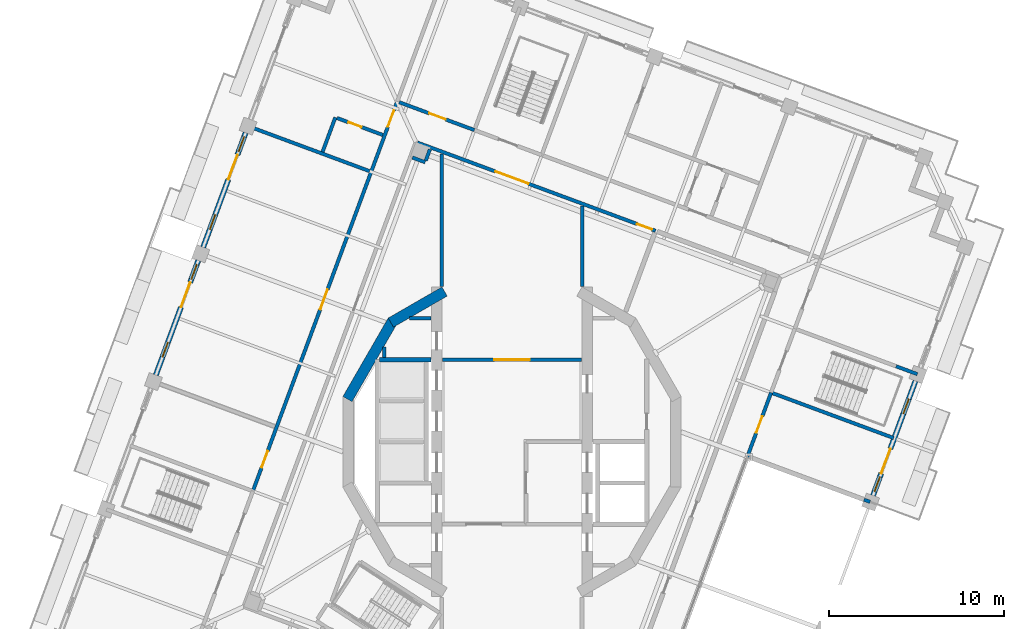
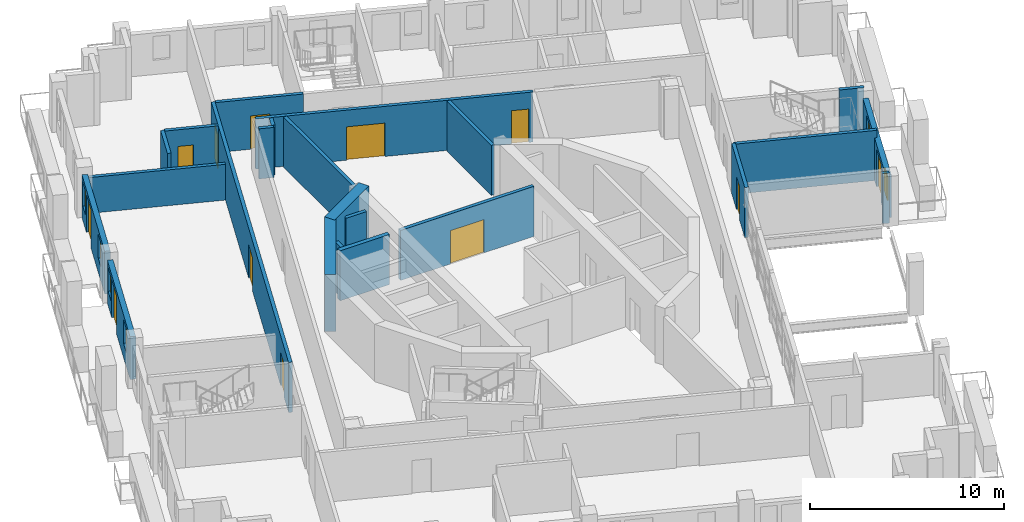
# One storey, part 8 of 19: 23 walls, 12 doors, 6 windows, 18 openings.
"""IFC4 building model written with IfcOpenShell, lengths in metres."""

from ifc_helpers import new_model, si_unit, direction, frame, frame_2d, origin, place, context, subcontext, project, spatial, rectangle, extrude, material, layer, layer_set, type_object, element, fill, save


model = new_model("IFC4")

# Units and contexts
model_context = context("Model", 3, precision=1e-05, world=origin(), true_north=direction((0.0, 1.0)))
body_context = subcontext(model_context, "Body", "Model", "MODEL_VIEW")
ifc_project = project(units=[si_unit("LENGTHUNIT", "METRE"), si_unit("AREAUNIT", "SQUARE_METRE"), si_unit("VOLUMEUNIT", "CUBIC_METRE"), si_unit("PLANEANGLEUNIT", "RADIAN"), si_unit("MASSUNIT", "GRAM", prefix="KILO")], contexts=[model_context])

# Site, building, storey
site_placement = place(None, origin())
site = spatial("IfcSite", under=ifc_project, at=site_placement, CompositionType="ELEMENT")
building_placement = place(site_placement, origin())
building = spatial("IfcBuilding", under=site, at=building_placement, Name="Cantera Rosa Tower", CompositionType="ELEMENT")
storey_placement = place(building_placement, frame((0.0, 0.0, 342.10009765625)))
storey = spatial("IfcBuildingStorey", under=building, at=storey_placement, Name="L77", CompositionType="ELEMENT", Elevation=342.10009765625)

# Wall, openings, doors
ifc_material_1 = material(Name="Gypsum board partition")
ifc_layer_1 = layer(ifc_material_1, 0.199951171875)
ifc_layer_set_1 = layer_set([ifc_layer_1], Name="CORRIDOR WALL 200 H3150")
wall_type_1 = type_object("IfcWallType", Name="CORRIDOR WALL 200 H3150", PredefinedType="PARTITIONING", material=ifc_layer_set_1)
wall_1_placement = place(storey_placement, frame((-6.5537109375, 19.438720703125, 0.0), z_axis=(0.0, 0.0, 1.0), x_axis=(-0.347483565428, -0.937686073138, 0.0)))
wall_1 = element("IfcWall", 1, at=wall_1_placement, inside=storey, type_object=wall_type_1, Name="CORRIDOR WALL L77-031", PredefinedType="PARTITIONING", context=body_context, shape_type="SweptSolid", body=[
    extrude(rectangle(XDim=23.730224609375, YDim=0.199951171875, at=frame_2d((11.865234375, 0.0))), origin(), (0.0, 0.0, 1.0), 3.14990234375),
])
opening_1_placement = place(wall_1_placement, frame((11.4599609375, 0.0, 0.0)))
opening_1 = element("IfcOpeningElement", 2, at=opening_1_placement, cuts=wall_1, Name="Opening L77-026", PredefinedType="OPENING", context=body_context, shape_type="SweptSolid", body=[
    extrude(rectangle(XDim=1.199951171875, YDim=2.10009765625, at=frame_2d((0.60009765625, 1.050048828125))), frame((0.0, 0.10986328125, 0.0), z_axis=(0.0, -1.0, 0.0), x_axis=(1.0, 0.0, 0.0)), (0.0, 0.0, 1.0), 0.219970703125),
])
opening_2_placement = place(wall_1_placement, frame((21.284912109375, 0.0, 0.0)))
opening_2 = element("IfcOpeningElement", 3, at=opening_2_placement, cuts=wall_1, Name="Opening L77-027", PredefinedType="OPENING", context=body_context, shape_type="SweptSolid", body=[
    extrude(rectangle(XDim=1.0, YDim=2.10009765625, at=frame_2d((0.5, 1.050048828125))), frame((0.0, 0.10986328125, 0.0), z_axis=(0.0, -1.0, 0.0), x_axis=(1.0, 0.0, 0.0)), (0.0, 0.0, 1.0), 0.219970703125),
])
opening_3_placement = place(wall_1_placement, frame((0.5400390625, 0.0, 0.0)))
opening_3 = element("IfcOpeningElement", 4, at=opening_3_placement, cuts=wall_1, Name="Opening L77-028", PredefinedType="OPENING", context=body_context, shape_type="SweptSolid", body=[
    extrude(rectangle(XDim=1.0, YDim=2.10009765625, at=frame_2d((0.5, 1.050048828125))), frame((0.0, 0.10986328125, 0.0), z_axis=(0.0, -1.0, 0.0), x_axis=(1.0, 0.0, 0.0)), (0.0, 0.0, 1.0), 0.219970703125),
])
ifc_material_2 = material(Name="Timber door leaf", Category="wood")
door_type_1 = type_object("IfcDoorType", Name="ENTRANCE DOOR 1000x2100", OperationType="NOTDEFINED", PredefinedType="DOOR", material=ifc_material_2)
door_1_placement = place(opening_3_placement, origin())
door_1 = element("IfcDoor", 5, at=door_1_placement, inside=storey, type_object=door_type_1, Name="DOOR L77-028", OperationType="NOTDEFINED", OverallHeight=2.10009765625, OverallWidth=1.0, PredefinedType="DOOR", context=body_context, shape_type="SweptSolid", body=[
    extrude(rectangle(XDim=1.0, YDim=2.10009765625, at=frame_2d((0.5, 1.050048828125))), frame((0.0, 0.02490234375, 0.0), z_axis=(0.0, -1.0, 0.0), x_axis=(1.0, 0.0, 0.0)), (0.0, 0.0, 1.0), 0.050048828125),
])
fill(opening_3, door_1)
ifc_material_3 = material(Name="Timber door leaf", Category="wood")
door_type_2 = type_object("IfcDoorType", Name="ROOM DOOR 1000x2100", OperationType="NOTDEFINED", PredefinedType="DOOR", material=ifc_material_3)
door_2_placement = place(opening_2_placement, origin())
door_2 = element("IfcDoor", 6, at=door_2_placement, inside=storey, type_object=door_type_2, Name="DOOR L77-027", OperationType="NOTDEFINED", OverallHeight=2.10009765625, OverallWidth=1.0, PredefinedType="DOOR", context=body_context, shape_type="SweptSolid", body=[
    extrude(rectangle(XDim=1.0, YDim=2.10009765625, at=frame_2d((0.5, 1.050048828125))), frame((0.0, 0.02490234375, 0.0), z_axis=(0.0, -1.0, 0.0), x_axis=(1.0, 0.0, 0.0)), (0.0, 0.0, 1.0), 0.050048828125),
])
fill(opening_2, door_2)
ifc_material_4 = material(Name="Timber door leaf", Category="wood")
door_type_3 = type_object("IfcDoorType", Name="ROOM DOOR 1200x2100", OperationType="NOTDEFINED", PredefinedType="DOOR", material=ifc_material_4)
door_3_placement = place(opening_1_placement, origin())
door_3 = element("IfcDoor", 7, at=door_3_placement, inside=storey, type_object=door_type_3, Name="DOOR L77-026", OperationType="NOTDEFINED", OverallHeight=2.10009765625, OverallWidth=1.199951171875, PredefinedType="DOOR", context=body_context, shape_type="SweptSolid", body=[
    extrude(rectangle(XDim=1.199951171875, YDim=2.10009765625, at=frame_2d((0.60009765625, 1.050048828125))), frame((0.0, 0.02490234375, 0.0), z_axis=(0.0, -1.0, 0.0), x_axis=(1.0, 0.0, 0.0)), (0.0, 0.0, 1.0), 0.050048828125),
])
fill(opening_1, door_3)

# Wall
wall_2_placement = place(storey_placement, frame((-4.0, 16.4326171875, 0.0), z_axis=(0.0, 0.0, 1.0), x_axis=(0.0, -1.0, 0.0)))
element("IfcWall", 8, at=wall_2_placement, inside=storey, type_object=wall_type_1, Name="CORRIDOR WALL L77-046", PredefinedType="PARTITIONING", context=body_context, shape_type="SweptSolid", body=[
    extrude(rectangle(XDim=7.5537109375, YDim=0.199951171875, at=frame_2d((3.77685546875, 0.0))), origin(), (0.0, 0.0, 1.0), 3.14990234375),
])

# Wall, opening, door
wall_3_placement = place(storey_placement, frame((-3.969970703125, 4.699951171875, 0.0), z_axis=(0.0, 0.0, 1.0), x_axis=(1.0, 0.0, 0.0)))
wall_3 = element("IfcWall", 9, at=wall_3_placement, inside=storey, type_object=wall_type_1, Name="CORRIDOR WALL L77-047", PredefinedType="PARTITIONING", context=body_context, shape_type="SweptSolid", body=[
    extrude(rectangle(XDim=7.93994140625, YDim=0.199951171875, at=frame_2d((3.969970703125, 0.0))), origin(), (0.0, 0.0, 1.0), 3.14990234375),
])
opening_4_placement = place(wall_3_placement, frame((2.969970703125, 0.0, 0.0)))
opening_4 = element("IfcOpeningElement", 10, at=opening_4_placement, cuts=wall_3, Name="Opening L77-010", PredefinedType="OPENING", context=body_context, shape_type="SweptSolid", body=[
    extrude(rectangle(XDim=2.0, YDim=2.10009765625, at=frame_2d((1.0, 1.050048828125))), frame((0.0, 0.10986328125, 0.0), z_axis=(0.0, -1.0, 0.0), x_axis=(1.0, 0.0, 0.0)), (0.0, 0.0, 1.0), 0.219970703125),
])
ifc_material_5 = material(Name="Steel S355J2 (EN 10025-2)", Category="steel")
door_type_4 = type_object("IfcDoorType", Name="LOBBY SCREEN DOOR 2000x2100", OperationType="NOTDEFINED", PredefinedType="DOOR", material=ifc_material_5)
door_4_placement = place(opening_4_placement, origin())
door_4 = element("IfcDoor", 11, at=door_4_placement, inside=storey, type_object=door_type_4, Name="DOOR L77-010", OperationType="NOTDEFINED", OverallHeight=2.10009765625, OverallWidth=2.0, PredefinedType="DOOR", context=body_context, shape_type="SweptSolid", body=[
    extrude(rectangle(XDim=2.0, YDim=2.10009765625, at=frame_2d((1.0, 1.050048828125))), frame((0.0, 0.02490234375, 0.0), z_axis=(0.0, -1.0, 0.0), x_axis=(1.0, 0.0, 0.0)), (0.0, 0.0, 1.0), 0.050048828125),
])
fill(opening_4, door_4)

wall_4_placement = place(storey_placement, frame((-2.146728515625, 17.805419921875, 0.0), z_axis=(0.0, 0.0, 1.0), x_axis=(-0.937682514707, 0.347493167721, 0.0)))
wall_4 = element("IfcWall", 12, at=wall_4_placement, inside=storey, type_object=wall_type_1, Name="CORRIDOR WALL L77-048", PredefinedType="PARTITIONING", context=body_context, shape_type="SweptSolid", body=[
    extrude(rectangle(XDim=4.580078125, YDim=0.199951171875, at=frame_2d((2.2900390625, 0.0))), origin(), (0.0, 0.0, 1.0), 3.14990234375),
])
opening_5_placement = place(wall_4_placement, frame((1.75, 0.0, 0.0)))
opening_5 = element("IfcOpeningElement", 13, at=opening_5_placement, cuts=wall_4, Name="Opening L77-025", PredefinedType="OPENING", context=body_context, shape_type="SweptSolid", body=[
    extrude(rectangle(XDim=1.0, YDim=2.10009765625, at=frame_2d((0.5, 1.050048828125))), frame((0.0, 0.10986328125, 0.0), z_axis=(0.0, -1.0, 0.0), x_axis=(1.0, 0.0, 0.0)), (0.0, 0.0, 1.0), 0.219970703125),
])
door_5_placement = place(opening_5_placement, origin())
door_5 = element("IfcDoor", 14, at=door_5_placement, inside=storey, type_object=door_type_2, Name="DOOR L77-025", OperationType="NOTDEFINED", OverallHeight=2.10009765625, OverallWidth=1.0, PredefinedType="DOOR", context=body_context, shape_type="SweptSolid", body=[
    extrude(rectangle(XDim=1.0, YDim=2.10009765625, at=frame_2d((0.5, 1.050048828125))), frame((0.0, 0.02490234375, 0.0), z_axis=(0.0, -1.0, 0.0), x_axis=(1.0, 0.0, 0.0)), (0.0, 0.0, 1.0), 0.050048828125),
])
fill(opening_5, door_5)

# Wall
wall_5_placement = place(storey_placement, frame((4.0, 8.87890625, 0.0), z_axis=(0.0, 0.0, 1.0), x_axis=(0.0, 1.0, 0.0)))
element("IfcWall", 15, at=wall_5_placement, inside=storey, type_object=wall_type_1, Name="CORRIDOR WALL L77-059", PredefinedType="PARTITIONING", context=body_context, shape_type="SweptSolid", body=[
    extrude(rectangle(XDim=4.589111328125, YDim=0.199951171875, at=frame_2d((2.29443359375, 0.0))), origin(), (0.0, 0.0, 1.0), 3.14990234375),
])

# Wall, opening, door
wall_6_placement = place(storey_placement, frame((13.404296875, -0.9521484375, 0.0), z_axis=(0.0, 0.0, 1.0), x_axis=(0.347502485966, 0.937679061432, 0.0)))
wall_6 = element("IfcWall", 16, at=wall_6_placement, inside=storey, type_object=wall_type_1, Name="CORRIDOR WALL L77-075", PredefinedType="PARTITIONING", context=body_context, shape_type="SweptSolid", body=[
    extrude(rectangle(XDim=4.01513671875, YDim=0.199951171875, at=frame_2d((2.007568359375, 0.0))), origin(), (0.0, 0.0, 1.0), 3.14990234375),
])
opening_6_placement = place(wall_6_placement, frame((1.570068359375, 0.0, 0.0)))
opening_6 = element("IfcOpeningElement", 17, at=opening_6_placement, cuts=wall_6, Name="Opening L77-035", PredefinedType="OPENING", context=body_context, shape_type="SweptSolid", body=[
    extrude(rectangle(XDim=1.0, YDim=2.10009765625, at=frame_2d((0.5, 1.050048828125))), frame((0.0, 0.10986328125, 0.0), z_axis=(0.0, -1.0, 0.0), x_axis=(1.0, 0.0, 0.0)), (0.0, 0.0, 1.0), 0.219970703125),
])
door_6_placement = place(opening_6_placement, origin())
door_6 = element("IfcDoor", 18, at=door_6_placement, inside=storey, type_object=door_type_2, Name="DOOR L77-035", OperationType="NOTDEFINED", OverallHeight=2.10009765625, OverallWidth=1.0, PredefinedType="DOOR", context=body_context, shape_type="SweptSolid", body=[
    extrude(rectangle(XDim=1.0, YDim=2.10009765625, at=frame_2d((0.5, 1.050048828125))), frame((0.0, 0.02490234375, 0.0), z_axis=(0.0, -1.0, 0.0), x_axis=(1.0, 0.0, 0.0)), (0.0, 0.0, 1.0), 0.050048828125),
])
fill(opening_6, door_6)

# Wall, openings, doors
wall_7_placement = place(storey_placement, frame((8.19873046875, 12.052001953125, 0.0), z_axis=(0.0, 0.0, 1.0), x_axis=(-0.937684564034, 0.347487637725, 0.0)))
wall_7 = element("IfcWall", 19, at=wall_7_placement, inside=storey, type_object=wall_type_1, Name="CORRIDOR WALL L77-080", PredefinedType="PARTITIONING", context=body_context, shape_type="SweptSolid", body=[
    extrude(rectangle(XDim=14.5, YDim=0.199951171875, at=frame_2d((7.25, 0.0))), origin(), (0.0, 0.0, 1.0), 3.14990234375),
])
opening_7_placement = place(wall_7_placement, frame((0.2216796875, 0.0, 0.0)))
opening_7 = element("IfcOpeningElement", 20, at=opening_7_placement, cuts=wall_7, Name="Opening L77-008", PredefinedType="OPENING", context=body_context, shape_type="SweptSolid", body=[
    extrude(rectangle(XDim=0.89990234375, YDim=2.10009765625, at=frame_2d((0.449951171875, 1.050048828125))), frame((0.0, 0.10986328125, 0.0), z_axis=(0.0, -1.0, 0.0), x_axis=(1.0, 0.0, 0.0)), (0.0, 0.0, 1.0), 0.219970703125),
])
opening_8_placement = place(wall_7_placement, frame((7.74365234375, 0.0, 0.0)))
opening_8 = element("IfcOpeningElement", 21, at=opening_8_placement, cuts=wall_7, Name="Opening L77-009", PredefinedType="OPENING", context=body_context, shape_type="SweptSolid", body=[
    extrude(rectangle(XDim=2.0, YDim=2.10009765625, at=frame_2d((1.0, 1.050048828125))), frame((0.0, 0.10986328125, 0.0), z_axis=(0.0, -1.0, 0.0), x_axis=(1.0, 0.0, 0.0)), (0.0, 0.0, 1.0), 0.219970703125),
])
door_7_placement = place(opening_8_placement, origin())
door_7 = element("IfcDoor", 22, at=door_7_placement, inside=storey, type_object=door_type_4, Name="DOOR L77-009", OperationType="NOTDEFINED", OverallHeight=2.10009765625, OverallWidth=2.0, PredefinedType="DOOR", context=body_context, shape_type="SweptSolid", body=[
    extrude(rectangle(XDim=2.0, YDim=2.10009765625, at=frame_2d((1.0, 1.050048828125))), frame((0.0, 0.02490234375, 0.0), z_axis=(0.0, -1.0, 0.0), x_axis=(1.0, 0.0, 0.0)), (0.0, 0.0, 1.0), 0.050048828125),
])
fill(opening_8, door_7)
ifc_material_6 = material(Name="Timber door leaf", Category="wood")
door_type_5 = type_object("IfcDoorType", Name="SERVICE DOOR 900x2100", OperationType="NOTDEFINED", PredefinedType="DOOR", material=ifc_material_6)
door_8_placement = place(opening_7_placement, origin())
door_8 = element("IfcDoor", 23, at=door_8_placement, inside=storey, type_object=door_type_5, Name="DOOR L77-008", OperationType="NOTDEFINED", OverallHeight=2.10009765625, OverallWidth=0.89990234375, PredefinedType="DOOR", context=body_context, shape_type="SweptSolid", body=[
    extrude(rectangle(XDim=0.89990234375, YDim=2.10009765625, at=frame_2d((0.449951171875, 1.050048828125))), frame((0.0, 0.02490234375, 0.0), z_axis=(0.0, -1.0, 0.0), x_axis=(1.0, 0.0, 0.0)), (0.0, 0.0, 1.0), 0.050048828125),
])
fill(opening_7, door_8)

# Wall, openings, windows, door
ifc_material_7 = material(Name="Hollow clay masonry with cantera stone cladding", Category="masonry")
ifc_layer_2 = layer(ifc_material_7, 0.300048828125)
ifc_layer_set_2 = layer_set([ifc_layer_2], Name="EW-LOGGIA 300 H2690")
wall_type_2 = type_object("IfcWallType", Name="EW-LOGGIA 300 H2690", PredefinedType="SOLIDWALL", material=ifc_layer_set_2)
wall_8_placement = place(storey_placement, frame((-15.212646484375, 17.65625, 0.0), z_axis=(0.0, 0.0, 1.0), x_axis=(-0.347502316452, -0.937679124253, 0.0)))
wall_8 = element("IfcWall", 24, at=wall_8_placement, inside=storey, type_object=wall_type_2, Name="EN-L77-W08", PredefinedType="SOLIDWALL", context=body_context, shape_type="SweptSolid", body=[
    extrude(rectangle(XDim=6.97998046875, YDim=0.300048828125, at=frame_2d((3.489990234375, 0.0))), origin(), (0.0, 0.0, 1.0), 2.68994140625),
])
opening_9_placement = place(wall_8_placement, frame((0.2451171875, 0.0, 0.89990234375)))
opening_9 = element("IfcOpeningElement", 25, at=opening_9_placement, cuts=wall_8, Name="Opening L77-W16", PredefinedType="OPENING", context=body_context, shape_type="SweptSolid", body=[
    extrude(rectangle(XDim=0.89990234375, YDim=1.5, at=frame_2d((0.449951171875, 0.75))), frame((0.0, 0.159912109375, 0.0), z_axis=(0.0, -1.0, 0.0), x_axis=(1.0, 0.0, 0.0)), (0.0, 0.0, 1.0), 0.320068359375),
])
opening_10_placement = place(wall_8_placement, frame((1.344970703125, 0.0, 0.0)))
opening_10 = element("IfcOpeningElement", 26, at=opening_10_placement, cuts=wall_8, Name="Opening L77-TD17", PredefinedType="OPENING", context=body_context, shape_type="SweptSolid", body=[
    extrude(rectangle(XDim=1.5, YDim=2.39990234375, at=frame_2d((0.75, 1.199951171875))), frame((0.0, 0.159912109375, 0.0), z_axis=(0.0, -1.0, 0.0), x_axis=(1.0, 0.0, 0.0)), (0.0, 0.0, 1.0), 0.320068359375),
])
opening_11_placement = place(wall_8_placement, frame((4.985107421875, 0.0, 0.89990234375)))
opening_11 = element("IfcOpeningElement", 27, at=opening_11_placement, cuts=wall_8, Name="Opening L77-W18", PredefinedType="OPENING", context=body_context, shape_type="SweptSolid", body=[
    extrude(rectangle(XDim=0.89990234375, YDim=1.5, at=frame_2d((0.449951171875, 0.75))), frame((0.0, 0.159912109375, 0.0), z_axis=(0.0, -1.0, 0.0), x_axis=(1.0, 0.0, 0.0)), (0.0, 0.0, 1.0), 0.320068359375),
])
ifc_material_8 = material(Name="Aluminium frame with clear glass", Category="aluminium")
window_type = type_object("IfcWindowType", Name="Residential window 900x1500", PartitioningType="SINGLE_PANEL", PredefinedType="WINDOW", material=ifc_material_8)
window_1_placement = place(opening_9_placement, origin())
window_1 = element("IfcWindow", 28, at=window_1_placement, inside=storey, type_object=window_type, Name="WINDOW L77-W16", OverallHeight=1.5, OverallWidth=0.89990234375, PartitioningType="SINGLE_PANEL", PredefinedType="WINDOW", context=body_context, shape_type="SweptSolid", body=[
    extrude(rectangle(XDim=0.89990234375, YDim=1.5, at=frame_2d((0.449951171875, 0.75))), frame((0.0, 0.030029296875, 0.0), z_axis=(0.0, -1.0, 0.0), x_axis=(1.0, 0.0, 0.0)), (0.0, 0.0, 1.0), 0.06005859375),
])
fill(opening_9, window_1)
window_2_placement = place(opening_11_placement, origin())
window_2 = element("IfcWindow", 29, at=window_2_placement, inside=storey, type_object=window_type, Name="WINDOW L77-W18", OverallHeight=1.5, OverallWidth=0.89990234375, PartitioningType="SINGLE_PANEL", PredefinedType="WINDOW", context=body_context, shape_type="SweptSolid", body=[
    extrude(rectangle(XDim=0.89990234375, YDim=1.5, at=frame_2d((0.449951171875, 0.75))), frame((0.0, 0.030029296875, 0.0), z_axis=(0.0, -1.0, 0.0), x_axis=(1.0, 0.0, 0.0)), (0.0, 0.0, 1.0), 0.06005859375),
])
fill(opening_11, window_2)
ifc_material_9 = material(Name="Aluminium frame with clear glass", Category="aluminium")
door_type_6 = type_object("IfcDoorType", Name="TD-R 1500x2400", OperationType="NOTDEFINED", PredefinedType="DOOR", material=ifc_material_9)
door_9_placement = place(opening_10_placement, origin())
door_9 = element("IfcDoor", 30, at=door_9_placement, inside=storey, type_object=door_type_6, Name="LOGGIA DOOR L77-TD17", OperationType="SLIDING_TO_LEFT", OverallHeight=2.39990234375, OverallWidth=1.5, PredefinedType="DOOR", context=body_context, shape_type="SweptSolid", body=[
    extrude(rectangle(XDim=1.5, YDim=2.39990234375, at=frame_2d((0.75, 1.199951171875))), frame((0.0, 0.02490234375, 0.0), z_axis=(0.0, -1.0, 0.0), x_axis=(1.0, 0.0, 0.0)), (0.0, 0.0, 1.0), 0.050048828125),
])
fill(opening_10, door_9)

wall_9_placement = place(storey_placement, frame((-17.916015625, 10.361083984375, 0.0), z_axis=(0.0, 0.0, 1.0), x_axis=(-0.347502316452, -0.937679124253, 0.0)))
wall_9 = element("IfcWall", 31, at=wall_9_placement, inside=storey, type_object=wall_type_2, Name="EN-L77-W09", PredefinedType="SOLIDWALL", context=body_context, shape_type="SweptSolid", body=[
    extrude(rectangle(XDim=6.97998046875, YDim=0.300048828125, at=frame_2d((3.489990234375, 0.0))), origin(), (0.0, 0.0, 1.0), 2.68994140625),
])
opening_12_placement = place(wall_9_placement, frame((0.2451171875, 0.0, 0.89990234375)))
opening_12 = element("IfcOpeningElement", 32, at=opening_12_placement, cuts=wall_9, Name="Opening L77-W19", PredefinedType="OPENING", context=body_context, shape_type="SweptSolid", body=[
    extrude(rectangle(XDim=0.89990234375, YDim=1.5, at=frame_2d((0.449951171875, 0.75))), frame((0.0, 0.159912109375, 0.0), z_axis=(0.0, -1.0, 0.0), x_axis=(1.0, 0.0, 0.0)), (0.0, 0.0, 1.0), 0.320068359375),
])
opening_13_placement = place(wall_9_placement, frame((1.344970703125, 0.0, 0.0)))
opening_13 = element("IfcOpeningElement", 33, at=opening_13_placement, cuts=wall_9, Name="Opening L77-TD20", PredefinedType="OPENING", context=body_context, shape_type="SweptSolid", body=[
    extrude(rectangle(XDim=1.5, YDim=2.39990234375, at=frame_2d((0.75, 1.199951171875))), frame((0.0, 0.159912109375, 0.0), z_axis=(0.0, -1.0, 0.0), x_axis=(1.0, 0.0, 0.0)), (0.0, 0.0, 1.0), 0.320068359375),
])
opening_14_placement = place(wall_9_placement, frame((4.985107421875, 0.0, 0.89990234375)))
opening_14 = element("IfcOpeningElement", 34, at=opening_14_placement, cuts=wall_9, Name="Opening L77-W21", PredefinedType="OPENING", context=body_context, shape_type="SweptSolid", body=[
    extrude(rectangle(XDim=0.89990234375, YDim=1.5, at=frame_2d((0.449951171875, 0.75))), frame((0.0, 0.159912109375, 0.0), z_axis=(0.0, -1.0, 0.0), x_axis=(1.0, 0.0, 0.0)), (0.0, 0.0, 1.0), 0.320068359375),
])
window_3_placement = place(opening_12_placement, origin())
window_3 = element("IfcWindow", 35, at=window_3_placement, inside=storey, type_object=window_type, Name="WINDOW L77-W19", OverallHeight=1.5, OverallWidth=0.89990234375, PartitioningType="SINGLE_PANEL", PredefinedType="WINDOW", context=body_context, shape_type="SweptSolid", body=[
    extrude(rectangle(XDim=0.89990234375, YDim=1.5, at=frame_2d((0.449951171875, 0.75))), frame((0.0, 0.030029296875, 0.0), z_axis=(0.0, -1.0, 0.0), x_axis=(1.0, 0.0, 0.0)), (0.0, 0.0, 1.0), 0.06005859375),
])
fill(opening_12, window_3)
window_4_placement = place(opening_14_placement, origin())
window_4 = element("IfcWindow", 36, at=window_4_placement, inside=storey, type_object=window_type, Name="WINDOW L77-W21", OverallHeight=1.5, OverallWidth=0.89990234375, PartitioningType="SINGLE_PANEL", PredefinedType="WINDOW", context=body_context, shape_type="SweptSolid", body=[
    extrude(rectangle(XDim=0.89990234375, YDim=1.5, at=frame_2d((0.449951171875, 0.75))), frame((0.0, 0.030029296875, 0.0), z_axis=(0.0, -1.0, 0.0), x_axis=(1.0, 0.0, 0.0)), (0.0, 0.0, 1.0), 0.06005859375),
])
fill(opening_14, window_4)
door_10_placement = place(opening_13_placement, origin())
door_10 = element("IfcDoor", 37, at=door_10_placement, inside=storey, type_object=door_type_6, Name="LOGGIA DOOR L77-TD20", OperationType="SLIDING_TO_LEFT", OverallHeight=2.39990234375, OverallWidth=1.5, PredefinedType="DOOR", context=body_context, shape_type="SweptSolid", body=[
    extrude(rectangle(XDim=1.5, YDim=2.39990234375, at=frame_2d((0.75, 1.199951171875))), frame((0.0, 0.02490234375, 0.0), z_axis=(0.0, -1.0, 0.0), x_axis=(1.0, 0.0, 0.0)), (0.0, 0.0, 1.0), 0.050048828125),
])
fill(opening_13, door_10)

wall_10_placement = place(storey_placement, frame((20.61962890625, -3.06591796875, 0.0), z_axis=(0.0, 0.0, 1.0), x_axis=(0.347471562124, 0.937690521182, 0.0)))
wall_10 = element("IfcWall", 38, at=wall_10_placement, inside=storey, type_object=wall_type_2, Name="EN-L77-W23", PredefinedType="SOLIDWALL", context=body_context, shape_type="SweptSolid", body=[
    extrude(rectangle(XDim=6.979736328125, YDim=0.300048828125, at=frame_2d((3.48974609375, 0.0))), origin(), (0.0, 0.0, 1.0), 2.68994140625),
])
opening_15_placement = place(wall_10_placement, frame((0.2451171875, 0.0, 0.89990234375)))
opening_15 = element("IfcOpeningElement", 39, at=opening_15_placement, cuts=wall_10, Name="Opening L77-W43", PredefinedType="OPENING", context=body_context, shape_type="SweptSolid", body=[
    extrude(rectangle(XDim=0.89990234375, YDim=1.5, at=frame_2d((0.449951171875, 0.75))), frame((0.0, 0.159912109375, 0.0), z_axis=(0.0, -1.0, 0.0), x_axis=(1.0, 0.0, 0.0)), (0.0, 0.0, 1.0), 0.320068359375),
])
opening_16_placement = place(wall_10_placement, frame((1.344970703125, 0.0, 0.0)))
opening_16 = element("IfcOpeningElement", 40, at=opening_16_placement, cuts=wall_10, Name="Opening L77-TD44", PredefinedType="OPENING", context=body_context, shape_type="SweptSolid", body=[
    extrude(rectangle(XDim=1.5, YDim=2.39990234375, at=frame_2d((0.75, 1.199951171875))), frame((0.0, 0.159912109375, 0.0), z_axis=(0.0, -1.0, 0.0), x_axis=(1.0, 0.0, 0.0)), (0.0, 0.0, 1.0), 0.320068359375),
])
opening_17_placement = place(wall_10_placement, frame((4.985107421875, 0.0, 0.89990234375)))
opening_17 = element("IfcOpeningElement", 41, at=opening_17_placement, cuts=wall_10, Name="Opening L77-W45", PredefinedType="OPENING", context=body_context, shape_type="SweptSolid", body=[
    extrude(rectangle(XDim=0.89990234375, YDim=1.5, at=frame_2d((0.449951171875, 0.75))), frame((0.0, 0.159912109375, 0.0), z_axis=(0.0, -1.0, 0.0), x_axis=(1.0, 0.0, 0.0)), (0.0, 0.0, 1.0), 0.320068359375),
])
window_5_placement = place(opening_15_placement, origin())
window_5 = element("IfcWindow", 42, at=window_5_placement, inside=storey, type_object=window_type, Name="WINDOW L77-W43", OverallHeight=1.5, OverallWidth=0.89990234375, PartitioningType="SINGLE_PANEL", PredefinedType="WINDOW", context=body_context, shape_type="SweptSolid", body=[
    extrude(rectangle(XDim=0.89990234375, YDim=1.5, at=frame_2d((0.449951171875, 0.75))), frame((0.0, 0.030029296875, 0.0), z_axis=(0.0, -1.0, 0.0), x_axis=(1.0, 0.0, 0.0)), (0.0, 0.0, 1.0), 0.06005859375),
])
fill(opening_15, window_5)
window_6_placement = place(opening_17_placement, origin())
window_6 = element("IfcWindow", 43, at=window_6_placement, inside=storey, type_object=window_type, Name="WINDOW L77-W45", OverallHeight=1.5, OverallWidth=0.89990234375, PartitioningType="SINGLE_PANEL", PredefinedType="WINDOW", context=body_context, shape_type="SweptSolid", body=[
    extrude(rectangle(XDim=0.89990234375, YDim=1.5, at=frame_2d((0.449951171875, 0.75))), frame((0.0, 0.030029296875, 0.0), z_axis=(0.0, -1.0, 0.0), x_axis=(1.0, 0.0, 0.0)), (0.0, 0.0, 1.0), 0.06005859375),
])
fill(opening_17, window_6)
door_11_placement = place(opening_16_placement, origin())
door_11 = element("IfcDoor", 44, at=door_11_placement, inside=storey, type_object=door_type_6, Name="LOGGIA DOOR L77-TD44", OperationType="SLIDING_TO_LEFT", OverallHeight=2.39990234375, OverallWidth=1.5, PredefinedType="DOOR", context=body_context, shape_type="SweptSolid", body=[
    extrude(rectangle(XDim=1.5, YDim=2.39990234375, at=frame_2d((0.75, 1.199951171875))), frame((0.0, 0.02490234375, 0.0), z_axis=(0.0, -1.0, 0.0), x_axis=(1.0, 0.0, 0.0)), (0.0, 0.0, 1.0), 0.050048828125),
])
fill(opening_16, door_11)

# Wall
ifc_material_10 = material(Name="Gypsum board partition")
ifc_layer_3 = layer(ifc_material_10, 0.199951171875)
ifc_layer_set_3 = layer_set([ifc_layer_3], Name="PARTITION 200 H3150")
wall_type_3 = type_object("IfcWallType", Name="PARTITION 200 H3150", PredefinedType="PARTITIONING", material=ifc_layer_set_3)
wall_11_placement = place(storey_placement, frame((-10.8193359375, 16.5615234375, 0.0), z_axis=(0.0, 0.0, 1.0), x_axis=(0.34747715945, 0.937688447013, 0.0)))
element("IfcWall", 45, at=wall_11_placement, inside=storey, type_object=wall_type_3, Name="PARTITION L77-015", PredefinedType="PARTITIONING", context=body_context, shape_type="SweptSolid", body=[
    extrude(rectangle(XDim=2.10009765625, YDim=0.199951171875, at=frame_2d((1.050048828125, 0.0))), origin(), (0.0, 0.0, 1.0), 3.14990234375),
])

# Wall, opening, door
wall_12_placement = place(storey_placement, frame((-9.995849609375, 18.495849609375, 0.0), z_axis=(0.0, 0.0, 1.0), x_axis=(0.937690898453, -0.347470544015, 0.0)))
wall_12 = element("IfcWall", 46, at=wall_12_placement, inside=storey, type_object=wall_type_3, Name="PARTITION L77-021", PredefinedType="PARTITIONING", context=body_context, shape_type="SweptSolid", body=[
    extrude(rectangle(XDim=2.800048828125, YDim=0.199951171875, at=frame_2d((1.39990234375, 0.0))), origin(), (0.0, 0.0, 1.0), 3.14990234375),
])
opening_18_placement = place(wall_12_placement, frame((0.699951171875, 0.0, 0.0)))
opening_18 = element("IfcOpeningElement", 47, at=opening_18_placement, cuts=wall_12, Name="Opening L77-029", PredefinedType="OPENING", context=body_context, shape_type="SweptSolid", body=[
    extrude(rectangle(XDim=0.800048828125, YDim=2.10009765625, at=frame_2d((0.39990234375, 1.050048828125))), frame((0.0, 0.10986328125, 0.0), z_axis=(0.0, -1.0, 0.0), x_axis=(1.0, 0.0, 0.0)), (0.0, 0.0, 1.0), 0.219970703125),
])
ifc_material_11 = material(Name="Timber door leaf", Category="wood")
door_type_7 = type_object("IfcDoorType", Name="BATHROOM DOOR 800x2100", OperationType="NOTDEFINED", PredefinedType="DOOR", material=ifc_material_11)
door_12_placement = place(opening_18_placement, origin())
door_12 = element("IfcDoor", 48, at=door_12_placement, inside=storey, type_object=door_type_7, Name="DOOR L77-029", OperationType="NOTDEFINED", OverallHeight=2.10009765625, OverallWidth=0.800048828125, PredefinedType="DOOR", context=body_context, shape_type="SweptSolid", body=[
    extrude(rectangle(XDim=0.800048828125, YDim=2.10009765625, at=frame_2d((0.39990234375, 1.050048828125))), frame((0.0, 0.02490234375, 0.0), z_axis=(0.0, -1.0, 0.0), x_axis=(1.0, 0.0, 0.0)), (0.0, 0.0, 1.0), 0.050048828125),
])
fill(opening_18, door_12)

# Walls
wall_13_placement = place(storey_placement, frame((-7.300048828125, 4.824951171875, 0.0), z_axis=(0.0, 0.0, 1.0), x_axis=(0.0, 1.0, 0.0)))
element("IfcWall", 49, at=wall_13_placement, inside=storey, type_object=wall_type_3, Name="PARTITION L77-030", PredefinedType="PARTITIONING", context=body_context, shape_type="SweptSolid", body=[
    extrude(rectangle(XDim=0.589599609375, YDim=0.199951171875, at=frame_2d((0.294921875, 0.0))), origin(), (0.0, 0.0, 1.0), 3.14990234375),
])
wall_14_placement = place(storey_placement, frame((-5.84765625, 7.050048828125, 0.0), z_axis=(0.0, 0.0, 1.0), x_axis=(1.0, 0.0, 0.0)))
element("IfcWall", 50, at=wall_14_placement, inside=storey, type_object=wall_type_3, Name="PARTITION L77-034", PredefinedType="PARTITIONING", context=body_context, shape_type="SweptSolid", body=[
    extrude(rectangle(XDim=1.2177734375, YDim=0.199951171875, at=frame_2d((0.60888671875, 0.0))), origin(), (0.0, 0.0, 1.0), 3.14990234375),
])
wall_15_placement = place(storey_placement, frame((-5.691650390625, 16.23974609375, 0.0), z_axis=(0.0, 0.0, 1.0), x_axis=(0.93771100034, -0.347416291848, 0.0)))
element("IfcWall", 51, at=wall_15_placement, inside=storey, type_object=wall_type_3, Name="PARTITION L77-035", PredefinedType="PARTITIONING", context=body_context, shape_type="SweptSolid", body=[
    extrude(rectangle(XDim=0.780029296875, YDim=0.199951171875, at=frame_2d((0.39013671875, 0.0))), origin(), (0.0, 0.0, 1.0), 3.14990234375),
])
wall_16_placement = place(storey_placement, frame((-4.925537109375, 16.0625, 0.0), z_axis=(0.0, 0.0, 1.0), x_axis=(0.347501421626, 0.937679455874, 0.0)))
element("IfcWall", 52, at=wall_16_placement, inside=storey, type_object=wall_type_3, Name="PARTITION L77-040", PredefinedType="PARTITIONING", context=body_context, shape_type="SweptSolid", body=[
    extrude(rectangle(XDim=0.68017578125, YDim=0.199951171875, at=frame_2d((0.340087890625, 0.0))), origin(), (0.0, 0.0, 1.0), 3.14990234375),
])
wall_17_placement = place(storey_placement, frame((20.452392578125, -3.4306640625, 0.0), z_axis=(0.0, 0.0, 1.0), x_axis=(-0.937597447594, 0.347722628348, 0.0)))
element("IfcWall", 53, at=wall_17_placement, inside=storey, type_object=wall_type_3, Name="PARTITION L77-098", PredefinedType="PARTITIONING", context=body_context, shape_type="SweptSolid", body=[
    extrude(rectangle(XDim=0.3701171875, YDim=0.199951171875, at=frame_2d((0.18505859375, 0.0))), origin(), (0.0, 0.0, 1.0), 3.14990234375),
])
ifc_material_12 = material(Name="Gypsum board partition")
ifc_layer_4 = layer(ifc_material_12, 0.199951171875)
ifc_layer_set_4 = layer_set([ifc_layer_4], Name="PARTY WALL 200 H2250")
wall_type_4 = type_object("IfcWallType", Name="PARTY WALL 200 H2250", PredefinedType="PARTITIONING", material=ifc_layer_set_4)
wall_18_placement = place(storey_placement, frame((-15.045654296875, 18.02099609375, 0.0), z_axis=(0.0, 0.0, 1.0), x_axis=(0.937695604411, -0.347457844161, 0.0)))
element("IfcWall", 54, at=wall_18_placement, inside=storey, type_object=wall_type_4, Name="PARTY WALL L77-007", PredefinedType="PARTITIONING", context=body_context, shape_type="SweptSolid", body=[
    extrude(rectangle(XDim=7.3701171875, YDim=0.199951171875, at=frame_2d((3.68505859375, 0.0))), origin(), (0.0, 0.0, 1.0), 2.25),
])
ifc_material_13 = material(Name="Concrete C50/60", Category="concrete")
ifc_layer_5 = layer(ifc_material_13, 0.60009765625)
ifc_layer_set_5 = layer_set([ifc_layer_5], Name="RC CORE WALL 600 C50/60")
wall_type_5 = type_object("IfcWallType", Name="RC CORE WALL 600 C50/60", PredefinedType="SHEAR", material=ifc_layer_set_5)
wall_19_placement = place(storey_placement, frame((-9.3994140625, 2.438232421875, 0.0), z_axis=(0.0, 0.0, 1.0), x_axis=(0.499989188378, 0.866031645787, 0.0)))
element("IfcWall", 55, at=wall_19_placement, inside=storey, type_object=wall_type_5, Name="CW-W4 L77", PredefinedType="SHEAR", context=body_context, shape_type="SweptSolid", body=[
    extrude(rectangle(XDim=5.17626953125, YDim=0.60009765625, at=frame_2d((2.588134765625, 0.0))), origin(), (0.0, 0.0, 1.0), 3.599853515625),
])
wall_20_placement = place(storey_placement, frame((-6.921142578125, 6.811279296875, 0.0), z_axis=(0.0, 0.0, 1.0), x_axis=(0.866039982607, 0.499974747889, 0.0)))
element("IfcWall", 56, at=wall_20_placement, inside=storey, type_object=wall_type_5, Name="CW-W5 L77", PredefinedType="SHEAR", context=body_context, shape_type="SweptSolid", body=[
    extrude(rectangle(XDim=3.546142578125, YDim=0.60009765625, at=frame_2d((1.77294921875, 0.0))), origin(), (0.0, 0.0, 1.0), 3.599853515625),
])
ifc_material_14 = material(Name="Masonry blockwork", Category="masonry")
ifc_layer_6 = layer(ifc_material_14, 0.25)
ifc_layer_set_6 = layer_set([ifc_layer_6], Name="SHAFT WALL 250 H3150")
wall_type_6 = type_object("IfcWallType", Name="SHAFT WALL 250 H3150", PredefinedType="SOLIDWALL", material=ifc_layer_set_6)
wall_21_placement = place(storey_placement, frame((-7.580078125, 4.699951171875, 0.0), z_axis=(0.0, 0.0, 1.0), x_axis=(1.0, 0.0, 0.0)))
element("IfcWall", 57, at=wall_21_placement, inside=storey, type_object=wall_type_6, Name="SHAFT WALL L77-029", PredefinedType="SOLIDWALL", context=body_context, shape_type="SweptSolid", body=[
    extrude(rectangle(XDim=2.9501953125, YDim=0.25, at=frame_2d((1.47509765625, 0.0))), origin(), (0.0, 0.0, 1.0), 3.14990234375),
])
ifc_material_15 = material(Name="Concrete C50/60", Category="concrete")
ifc_layer_7 = layer(ifc_material_15, 0.199951171875)
ifc_layer_set_7 = layer_set([ifc_layer_7], Name="STAIR WALL 200 H3150")
wall_type_7 = type_object("IfcWallType", Name="STAIR WALL 200 H3150", PredefinedType="SOLIDWALL", material=ifc_layer_set_7)
wall_22_placement = place(storey_placement, frame((14.799560546875, 2.812744140625, 0.0), z_axis=(0.0, 0.0, 1.0), x_axis=(0.93768803379, -0.347478274555, 0.0)))
element("IfcWall", 58, at=wall_22_placement, inside=storey, type_object=wall_type_7, Name="STAIR WALL L77-091", PredefinedType="SOLIDWALL", context=body_context, shape_type="SweptSolid", body=[
    extrude(rectangle(XDim=7.47021484375, YDim=0.199951171875, at=frame_2d((3.735107421875, 0.0))), origin(), (0.0, 0.0, 1.0), 3.14990234375),
])
wall_23_placement = place(storey_placement, frame((23.15576171875, 3.864501953125, 0.0), z_axis=(0.0, 0.0, 1.0), x_axis=(-0.937642248704, 0.347601802994, 0.0)))
element("IfcWall", 59, at=wall_23_placement, inside=storey, type_object=wall_type_7, Name="STAIR WALL L77-099", PredefinedType="SOLIDWALL", context=body_context, shape_type="SweptSolid", body=[
    extrude(rectangle(XDim=1.300048828125, YDim=0.199951171875, at=frame_2d((0.64990234375, 0.0))), origin(), (0.0, 0.0, 1.0), 3.14990234375),
])

save(model, "model.ifc")
